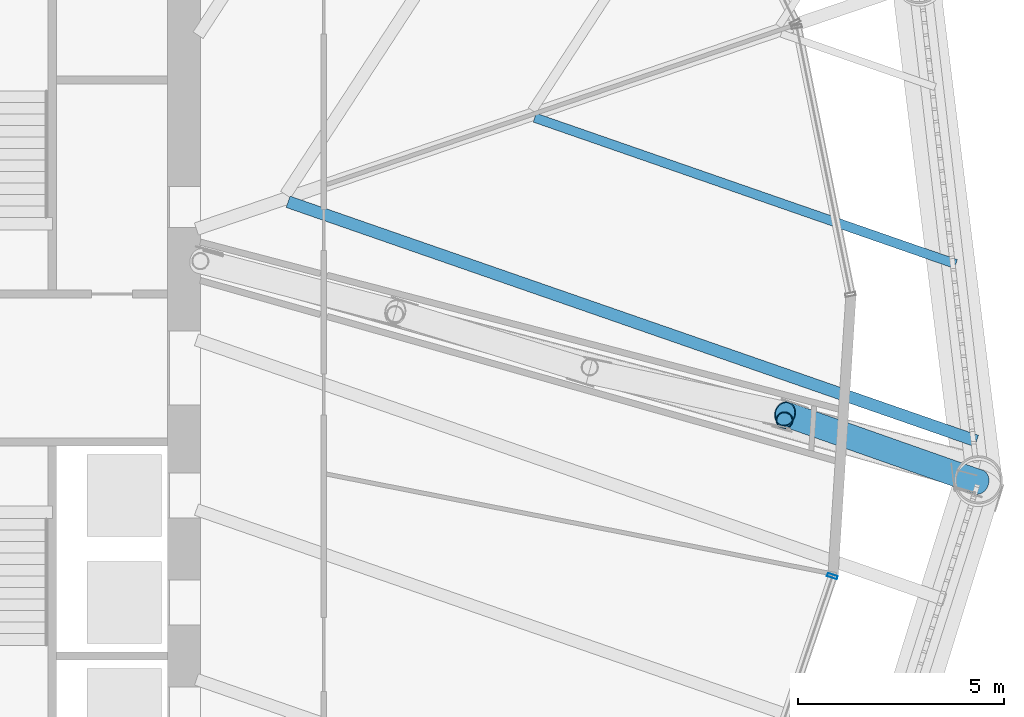
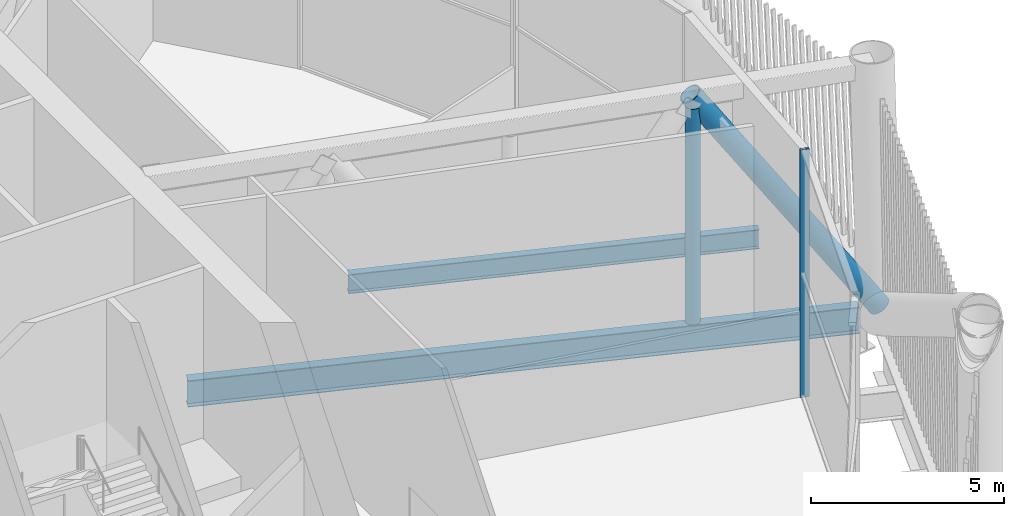
# One storey, part 21 of 63: 3 members, 2 beams, 1 element without a shape of its own.
"""IFC4 building model written with IfcOpenShell, lengths in metres."""

from ifc_helpers import new_model, si_unit, direction, frame, origin, origin_2d, place, context, subcontext, project, spatial, hollow_rectangle, hollow_circle, i_section, extrude, material, layer, layer_set, material_profile, profile_set, type_object, element, aggregate, save


model = new_model("IFC4")

# Units and contexts
model_context = context("Model", 3, precision=1e-05, world=origin(), true_north=direction((0.0, 1.0)))
body_context = subcontext(model_context, "Body", "Model", "MODEL_VIEW")
ifc_project = project(units=[si_unit("LENGTHUNIT", "METRE"), si_unit("AREAUNIT", "SQUARE_METRE"), si_unit("VOLUMEUNIT", "CUBIC_METRE"), si_unit("PLANEANGLEUNIT", "RADIAN"), si_unit("MASSUNIT", "GRAM", prefix="KILO")], contexts=[model_context])

# Site, building, storey
site_placement = place(None, origin())
site = spatial("IfcSite", under=ifc_project, at=site_placement, CompositionType="ELEMENT")
building_placement = place(site_placement, origin())
building = spatial("IfcBuilding", under=site, at=building_placement, Name="Tarsis Ring Headquarters", CompositionType="ELEMENT")
storey_placement = place(building_placement, frame((0.0, 0.0, 139.60009765625)))
storey = spatial("IfcBuildingStorey", under=building, at=storey_placement, Name="L32", CompositionType="ELEMENT", Elevation=139.60009765625)

# Curtain wall, member
ifc_material_1 = material(Name="Aluminium curtain wall", Category="aluminium")
ifc_layer = layer(ifc_material_1, 0.25)
ifc_layer_set = layer_set([ifc_layer], Name="Curtain wall sky lobby")
curtain_wall_type = type_object("IfcCurtainWallType", Name="Curtain wall sky lobby", PredefinedType="NOTDEFINED", material=ifc_layer_set)
curtain_wall_placement = place(storey_placement, origin())
curtain_wall = element("IfcCurtainWall", 1, at=curtain_wall_placement, inside=storey, type_object=curtain_wall_type, Name="Curtain wall L32-21", PredefinedType="NOTDEFINED")
ifc_material_2 = material(Name="Aluminium mullion", Category="aluminium")
ifc_material_profile_1 = material_profile(ifc_material_2, hollow_rectangle(XDim=0.25, YDim=0.080078125, WallThickness=0.0048828125, at=origin_2d()), Name="RHS 250x80x5")
ifc_profile_set_1 = profile_set([ifc_material_profile_1], Name="Aluminium mullion")
member_type_1 = type_object("IfcMemberType", Name="Curtain wall mullion sky lobby RHS 250x80x5", PredefinedType="MULLION", material=ifc_profile_set_1)
member_1_placement = place(storey_placement, frame((25.36669921875, -5.061279296875, 0.0), z_axis=(0.0, 0.0, 1.0), x_axis=(-0.947433852755, 0.319951706751, 0.0)))
member_1 = element("IfcMember", 2, at=member_1_placement, type_object=member_type_1, Name="CW-S mullion 2", PredefinedType="MULLION", context=body_context, shape_type="SweptSolid", body=[
    extrude(hollow_rectangle(XDim=0.25, YDim=0.080078125, WallThickness=0.0048828125, at=origin_2d()), origin(), (0.0, 0.0, 1.0), 7.83984375),
])
aggregate(curtain_wall, [member_1])

# Beams
ifc_material_3 = material(Name="Structural steel S355", Category="steel")
ifc_material_profile_2 = material_profile(ifc_material_3, i_section(OverallWidth=0.228271484375, OverallDepth=0.607177734375, WebThickness=0.01123046875, FlangeThickness=0.017333984375, at=origin_2d()), Name="W24x76")
ifc_profile_set_2 = profile_set([ifc_material_profile_2], Name="Structural steel S355")
beam_type_1 = type_object("IfcBeamType", Name="FB Floor beam W24x76", PredefinedType="JOIST", material=ifc_profile_set_2)
beam_1_placement = place(storey_placement, frame((18.129150390625, 6.087158203125, -0.603759765625), z_axis=(0.944605213993, -0.328208759323, 0.0), x_axis=(0.328208759323, 0.944605213993, 0.0)))
element("IfcBeam", 3, at=beam_1_placement, inside=storey, type_object=beam_type_1, Name="Floor beam FB4", PredefinedType="JOIST", context=body_context, shape_type="SweptSolid", body=[
    extrude(i_section(OverallWidth=0.228271484375, OverallDepth=0.607177734375, WebThickness=0.01123046875, FlangeThickness=0.017333984375, at=origin_2d()), origin(), (0.0, 0.0, 1.0), 10.84033203125),
])
ifc_material_profile_3 = material_profile(ifc_material_3, i_section(OverallWidth=0.2919921875, OverallDepth=0.835693359375, WebThickness=0.013916015625, FlangeThickness=0.018798828125, at=origin_2d()), Name="W33x118")
ifc_profile_set_3 = profile_set([ifc_material_profile_3], Name="Structural steel S355")
beam_type_2 = type_object("IfcBeamType", Name="FB Floor beam W33x118", PredefinedType="JOIST", material=ifc_profile_set_3)
beam_2_placement = place(storey_placement, frame((12.1337890625, 4.04150390625, -0.718017578125), z_axis=(0.944607708921, -0.328201578679, 0.0), x_axis=(0.328201578679, 0.944607708921, 0.0)))
element("IfcBeam", 4, at=beam_2_placement, inside=storey, type_object=beam_type_2, Name="Floor beam FB7", PredefinedType="JOIST", context=body_context, shape_type="SweptSolid", body=[
    extrude(i_section(OverallWidth=0.2919921875, OverallDepth=0.835693359375, WebThickness=0.013916015625, FlangeThickness=0.018798828125, at=origin_2d()), origin(), (0.0, 0.0, 1.0), 17.7197265625),
])

# Members
ifc_material_profile_4 = material_profile(ifc_material_3, hollow_circle(Radius=0.3046875, WallThickness=0.02490234375, at=origin_2d()), Name="CHS 610x25")
ifc_profile_set_4 = profile_set([ifc_material_profile_4], Name="Structural steel S355")
member_type_2 = type_object("IfcMemberType", Name="OD Outrigger diagonal CHS 610x25", PredefinedType="BRACE", material=ifc_profile_set_4)
member_2_placement = place(storey_placement, frame((24.214599609375, -1.11572265625, 7.5859375), z_axis=(0.530288356472, -0.186703798976, -0.827004202189), x_axis=(0.332097498866, 0.943245064258, 0.0)))
element("IfcMember", 5, at=member_2_placement, inside=storey, type_object=member_type_2, Name="Outrigger diagonal OD1", PredefinedType="BRACE", context=body_context, shape_type="SweptSolid", body=[
    extrude(hollow_circle(Radius=0.3046875, WallThickness=0.02490234375, at=origin_2d()), origin(), (0.0, 0.0, 1.0), 8.86572265625),
])
ifc_material_profile_5 = material_profile(ifc_material_3, hollow_circle(Radius=0.203125, WallThickness=0.01611328125, at=origin_2d()), Name="CHS 406x16")
ifc_profile_set_5 = profile_set([ifc_material_profile_5], Name="Structural steel S355")
member_type_3 = type_object("IfcMemberType", Name="OV Outrigger post CHS 406x16", PredefinedType="STRUT", material=ifc_profile_set_5)
member_3_placement = place(storey_placement, frame((24.20068359375, -1.27197265625, 0.5078125), z_axis=(0.0, 0.0, 1.0), x_axis=(1.0, 0.0, 0.0)))
element("IfcMember", 6, at=member_3_placement, inside=storey, type_object=member_type_3, Name="Outrigger post OV1", PredefinedType="STRUT", context=body_context, shape_type="SweptSolid", body=[
    extrude(hollow_circle(Radius=0.203125, WallThickness=0.01611328125, at=origin_2d()), origin(), (0.0, 0.0, 1.0), 6.823974609375),
])

save(model, "model.ifc")
